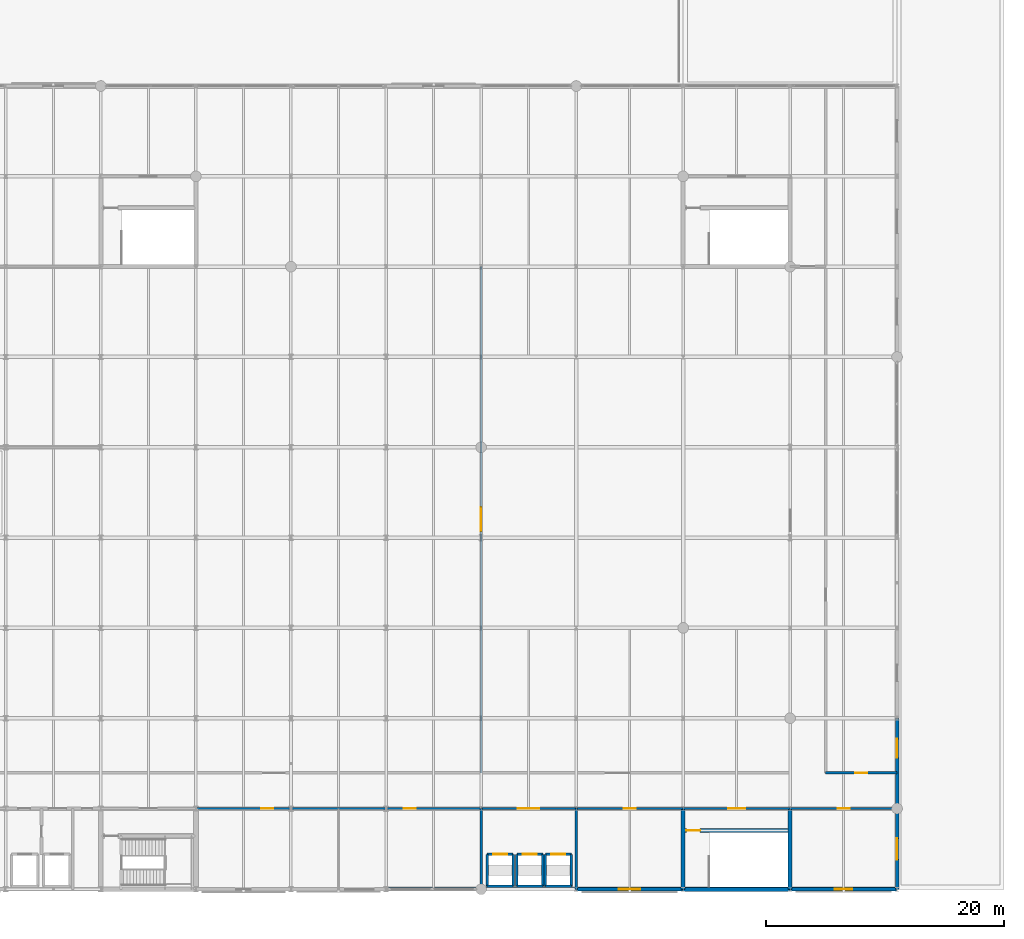
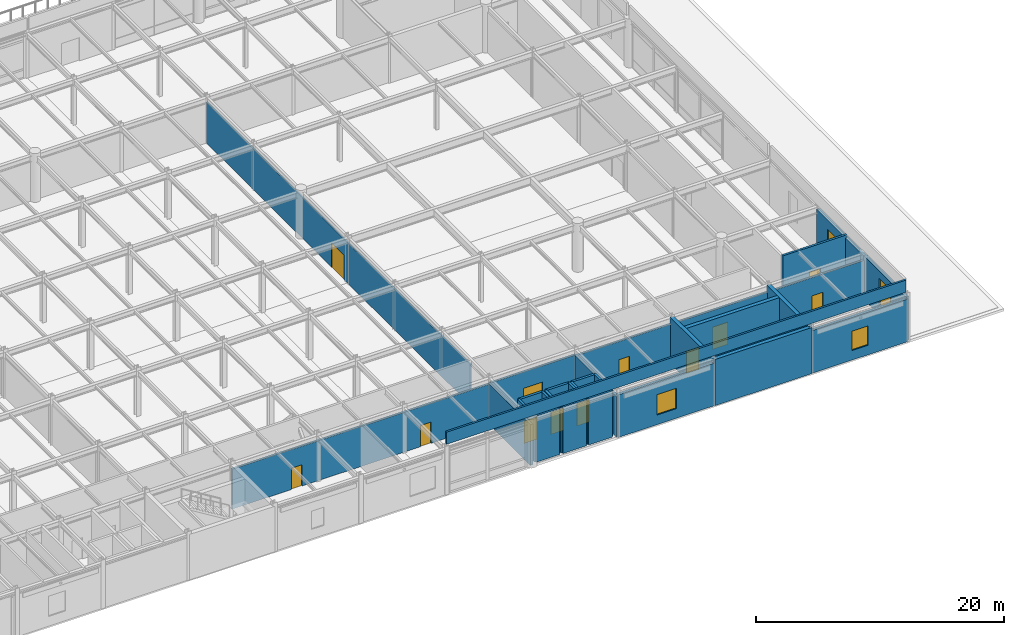
# One storey, part 37 of 43: 30 walls, 12 doors, 4 windows, 16 openings.
"""IFC4 building model written with IfcOpenShell, lengths in metres."""

from ifc_helpers import new_model, si_unit, direction, frame, frame_2d, origin, place, context, subcontext, project, spatial, rectangle, extrude, material, layer, layer_set, type_object, element, fill, save


model = new_model("IFC4")

# Units and contexts
model_context = context("Model", 3, precision=1e-05, world=origin(), true_north=direction((0.0, 1.0)))
body_context = subcontext(model_context, "Body", "Model", "MODEL_VIEW")
ifc_project = project(units=[si_unit("LENGTHUNIT", "METRE"), si_unit("AREAUNIT", "SQUARE_METRE"), si_unit("VOLUMEUNIT", "CUBIC_METRE"), si_unit("PLANEANGLEUNIT", "RADIAN"), si_unit("MASSUNIT", "GRAM", prefix="KILO")], contexts=[model_context])

# Site, building, storey
site_placement = place(None, origin())
site = spatial("IfcSite", under=ifc_project, at=site_placement, CompositionType="ELEMENT")
building_placement = place(site_placement, origin())
building = spatial("IfcBuilding", under=site, at=building_placement, Name="Shalkamar Park Central Library", CompositionType="ELEMENT")
storey_placement = place(building_placement, frame((0.0, 0.0, 15.60009765625)))
storey = spatial("IfcBuildingStorey", under=building, at=storey_placement, Name="L04", CompositionType="ELEMENT", Elevation=15.60009765625)

# Wall, opening, door
ifc_material_1 = material(Name="Acoustic insulated reading partition", Category="masonry")
ifc_layer_1 = layer(ifc_material_1, 0.139892578125)
ifc_layer_set_1 = layer_set([ifc_layer_1], Name="AcousticPartition_140")
wall_type_1 = type_object("IfcWallType", Name="Acoustic Partition 140", PredefinedType="PARTITIONING", material=ifc_layer_set_1)
wall_1_placement = place(storey_placement, frame((229.0, 258.199951171875, 0.0), z_axis=(0.0, 0.0, 1.0), x_axis=(0.0, 1.0, 0.0)))
wall_1 = element("IfcWall", 1, at=wall_1_placement, inside=storey, type_object=wall_type_1, Name="Interior Partition WL-INT-L04-021", PredefinedType="PARTITIONING", context=body_context, shape_type="SweptSolid", body=[
    extrude(rectangle(XDim=42.60009765625, YDim=0.139892578125, at=frame_2d((21.300048828125, 0.0))), origin(), (0.0, 0.0, 1.0), 3.997802734375),
])
opening_1_placement = place(wall_1_placement, frame((20.340087890625, 0.0, 0.0)))
opening_1 = element("IfcOpeningElement", 2, at=opening_1_placement, cuts=wall_1, Name="Opening DR-L04-022", PredefinedType="OPENING", context=body_context, shape_type="SweptSolid", body=[
    extrude(rectangle(XDim=2.0, YDim=2.39990234375, at=frame_2d((1.0, 1.199951171875))), frame((0.0, 0.0849609375, 0.0), z_axis=(0.0, -1.0, 0.0), x_axis=(1.0, 0.0, 0.0)), (0.0, 0.0, 1.0), 0.169677734375),
])
ifc_material_2 = material(Name="Steel S355", Category="steel")
door_type_1 = type_object("IfcDoorType", Name="Interior Door Double 2000x2400", OperationType="DOUBLE_DOOR_SINGLE_SWING", PredefinedType="DOOR", material=ifc_material_2)
door_1_placement = place(opening_1_placement, origin())
door_1 = element("IfcDoor", 3, at=door_1_placement, inside=storey, type_object=door_type_1, Name="Grand Reading Hall West Portal", OperationType="DOUBLE_DOOR_SINGLE_SWING", OverallHeight=2.39990234375, OverallWidth=2.0, PredefinedType="DOOR", context=body_context, shape_type="SweptSolid", body=[
    extrude(rectangle(XDim=2.0, YDim=2.39990234375, at=frame_2d((1.0, 1.199951171875))), frame((0.0, 0.02490234375, 0.0), z_axis=(0.0, -1.0, 0.0), x_axis=(1.0, 0.0, 0.0)), (0.0, 0.0, 1.0), 0.050048828125),
])
fill(opening_1, door_1)

ifc_material_3 = material(Name="Fire-rated corridor partition wall", Category="masonry")
ifc_layer_2 = layer(ifc_material_3, 0.199951171875)
ifc_layer_set_2 = layer_set([ifc_layer_2], Name="CorridorFireWall_200")
wall_type_2 = type_object("IfcWallType", Name="Corridor Fire Wall 200", PredefinedType="PARTITIONING", material=ifc_layer_set_2)
wall_2_placement = place(storey_placement, frame((246.0, 255.199951171875, 0.0), z_axis=(0.0, 0.0, 1.0), x_axis=(1.0, 0.0, 0.0)))
wall_2 = element("IfcWall", 4, at=wall_2_placement, inside=storey, type_object=wall_type_2, Name="CORE-P3 Vestibule North Wall (L04)", PredefinedType="PARTITIONING", context=body_context, shape_type="SweptSolid", body=[
    extrude(rectangle(XDim=9.0, YDim=0.199951171875, at=frame_2d((4.5, 0.0))), origin(), (0.0, 0.0, 1.0), 3.89794921875),
])
opening_2_placement = place(wall_2_placement, frame((3.77490234375, 0.0, 0.0)))
opening_2 = element("IfcOpeningElement", 5, at=opening_2_placement, cuts=wall_2, Name="Opening DR-ST-P3-L04-VEST", PredefinedType="OPENING", context=body_context, shape_type="SweptSolid", body=[
    extrude(rectangle(XDim=1.449951171875, YDim=2.199951171875, at=frame_2d((0.72509765625, 1.10009765625))), frame((0.0, 0.11474609375, 0.0), z_axis=(0.0, -1.0, 0.0), x_axis=(1.0, 0.0, 0.0)), (0.0, 0.0, 1.0), 0.229736328125),
])
door_type_2 = type_object("IfcDoorType", Name="Stair Vestibule Door 1450x2200", OperationType="DOUBLE_DOOR_SINGLE_SWING", PredefinedType="DOOR", material=ifc_material_2)
door_2_placement = place(opening_2_placement, frame((1.449951171875, 0.0, 0.0), z_axis=(0.0, 0.0, 1.0), x_axis=(-1.0, 0.0, 0.0)))
door_2 = element("IfcDoor", 6, at=door_2_placement, inside=storey, type_object=door_type_2, Name="Protected Stair ST-P3 Vestibule Door (L04)", OperationType="DOUBLE_DOOR_SINGLE_SWING", OverallHeight=2.199951171875, OverallWidth=1.449951171875, PredefinedType="DOOR", context=body_context, shape_type="SweptSolid", body=[
    extrude(rectangle(XDim=1.449951171875, YDim=2.199951171875, at=frame_2d((0.72509765625, 1.10009765625))), frame((0.0, 0.02490234375, 0.0), z_axis=(0.0, -1.0, 0.0), x_axis=(1.0, 0.0, 0.0)), (0.0, 0.0, 1.0), 0.050048828125),
])
fill(opening_2, door_2)

wall_3_placement = place(storey_placement, frame((229.0, 255.199951171875, 0.0), z_axis=(0.0, 0.0, 1.0), x_axis=(1.0, 0.0, 0.0)))
wall_3 = element("IfcWall", 7, at=wall_3_placement, inside=storey, type_object=wall_type_2, Name="Interior Partition WL-INT-L04-012", PredefinedType="PARTITIONING", context=body_context, shape_type="SweptSolid", body=[
    extrude(rectangle(XDim=8.0, YDim=0.199951171875, at=frame_2d((4.0, 0.0))), origin(), (0.0, 0.0, 1.0), 3.997802734375),
])
opening_3_placement = place(wall_3_placement, frame((3.10009765625, 0.0, 0.0)))
opening_3 = element("IfcOpeningElement", 8, at=opening_3_placement, cuts=wall_3, Name="Opening DR-L04-012", PredefinedType="OPENING", context=body_context, shape_type="SweptSolid", body=[
    extrude(rectangle(XDim=1.800048828125, YDim=2.39990234375, at=frame_2d((0.89990234375, 1.199951171875))), frame((0.0, 0.11474609375, 0.0), z_axis=(0.0, -1.0, 0.0), x_axis=(1.0, 0.0, 0.0)), (0.0, 0.0, 1.0), 0.229736328125),
])
door_type_3 = type_object("IfcDoorType", Name="Interior Door Double 1800x2400", OperationType="DOUBLE_DOOR_SINGLE_SWING", PredefinedType="DOOR", material=ifc_material_2)
door_3_placement = place(opening_3_placement, frame((1.800048828125, 0.0, 0.0), z_axis=(0.0, 0.0, 1.0), x_axis=(-1.0, 0.0, 0.0)))
door_3 = element("IfcDoor", 9, at=door_3_placement, inside=storey, type_object=door_type_3, Name="Podium Lift Lobby Entrance", OperationType="DOUBLE_DOOR_SINGLE_SWING", OverallHeight=2.39990234375, OverallWidth=1.800048828125, PredefinedType="DOOR", context=body_context, shape_type="SweptSolid", body=[
    extrude(rectangle(XDim=1.800048828125, YDim=2.39990234375, at=frame_2d((0.89990234375, 1.199951171875))), frame((0.0, 0.02490234375, 0.0), z_axis=(0.0, -1.0, 0.0), x_axis=(1.0, 0.0, 0.0)), (0.0, 0.0, 1.0), 0.050048828125),
])
fill(opening_3, door_3)

# Wall, openings, doors
wall_4_placement = place(storey_placement, frame((205.0, 255.199951171875, 0.0), z_axis=(0.0, 0.0, 1.0), x_axis=(1.0, 0.0, 0.0)))
wall_4 = element("IfcWall", 10, at=wall_4_placement, inside=storey, type_object=wall_type_2, Name="Interior Partition WL-INT-L04-013", PredefinedType="PARTITIONING", context=body_context, shape_type="SweptSolid", body=[
    extrude(rectangle(XDim=24.0, YDim=0.199951171875, at=frame_2d((12.0, 0.0))), origin(), (0.0, 0.0, 1.0), 3.927978515625),
])
opening_4_placement = place(wall_4_placement, frame((5.5, 0.0, 0.0)))
opening_4 = element("IfcOpeningElement", 11, at=opening_4_placement, cuts=wall_4, Name="Opening DR-L04-013", PredefinedType="OPENING", context=body_context, shape_type="SweptSolid", body=[
    extrude(rectangle(XDim=1.0, YDim=2.10009765625, at=frame_2d((0.5, 1.050048828125))), frame((0.0, 0.11474609375, 0.0), z_axis=(0.0, -1.0, 0.0), x_axis=(1.0, 0.0, 0.0)), (0.0, 0.0, 1.0), 0.229736328125),
])
opening_5_placement = place(wall_4_placement, frame((17.5, 0.0, 0.0)))
opening_5 = element("IfcOpeningElement", 12, at=opening_5_placement, cuts=wall_4, Name="Opening DR-L04-014", PredefinedType="OPENING", context=body_context, shape_type="SweptSolid", body=[
    extrude(rectangle(XDim=1.0, YDim=2.10009765625, at=frame_2d((0.5, 1.050048828125))), frame((0.0, 0.11474609375, 0.0), z_axis=(0.0, -1.0, 0.0), x_axis=(1.0, 0.0, 0.0)), (0.0, 0.0, 1.0), 0.229736328125),
])
door_type_4 = type_object("IfcDoorType", Name="Interior Door Single 1000x2100", OperationType="NOTDEFINED", PredefinedType="DOOR", material=ifc_material_2)
door_4_placement = place(opening_4_placement, frame((1.0, 0.0, 0.0), z_axis=(0.0, 0.0, 1.0), x_axis=(-1.0, 0.0, 0.0)))
door_4 = element("IfcDoor", 13, at=door_4_placement, inside=storey, type_object=door_type_4, Name="L04 South Seminar Door", OperationType="SINGLE_SWING_RIGHT", OverallHeight=2.10009765625, OverallWidth=1.0, PredefinedType="DOOR", context=body_context, shape_type="SweptSolid", body=[
    extrude(rectangle(XDim=1.0, YDim=2.10009765625, at=frame_2d((0.5, 1.050048828125))), frame((0.0, 0.02490234375, 0.0), z_axis=(0.0, -1.0, 0.0), x_axis=(1.0, 0.0, 0.0)), (0.0, 0.0, 1.0), 0.050048828125),
])
fill(opening_4, door_4)
door_5_placement = place(opening_5_placement, frame((1.0, 0.0, 0.0), z_axis=(0.0, 0.0, 1.0), x_axis=(-1.0, 0.0, 0.0)))
door_5 = element("IfcDoor", 14, at=door_5_placement, inside=storey, type_object=door_type_4, Name="L04 South Study Door", OperationType="SINGLE_SWING_LEFT", OverallHeight=2.10009765625, OverallWidth=1.0, PredefinedType="DOOR", context=body_context, shape_type="SweptSolid", body=[
    extrude(rectangle(XDim=1.0, YDim=2.10009765625, at=frame_2d((0.5, 1.050048828125))), frame((0.0, 0.02490234375, 0.0), z_axis=(0.0, -1.0, 0.0), x_axis=(1.0, 0.0, 0.0)), (0.0, 0.0, 1.0), 0.050048828125),
])
fill(opening_5, door_5)

# Wall, opening, door
wall_5_placement = place(storey_placement, frame((237.0, 255.199951171875, 0.0), z_axis=(0.0, 0.0, 1.0), x_axis=(1.0, 0.0, 0.0)))
wall_5 = element("IfcWall", 15, at=wall_5_placement, inside=storey, type_object=wall_type_2, Name="Interior Partition WL-INT-L04-015", PredefinedType="PARTITIONING", context=body_context, shape_type="SweptSolid", body=[
    extrude(rectangle(XDim=9.0, YDim=0.199951171875, at=frame_2d((4.5, 0.0))), origin(), (0.0, 0.0, 1.0), 3.89794921875),
])
opening_6_placement = place(wall_5_placement, frame((4.0, 0.0, 0.0)))
opening_6 = element("IfcOpeningElement", 16, at=opening_6_placement, cuts=wall_5, Name="Opening DR-L04-015", PredefinedType="OPENING", context=body_context, shape_type="SweptSolid", body=[
    extrude(rectangle(XDim=1.0, YDim=2.10009765625, at=frame_2d((0.5, 1.050048828125))), frame((0.0, 0.11474609375, 0.0), z_axis=(0.0, -1.0, 0.0), x_axis=(1.0, 0.0, 0.0)), (0.0, 0.0, 1.0), 0.229736328125),
])
door_6_placement = place(opening_6_placement, frame((1.0, 0.0, 0.0), z_axis=(0.0, 0.0, 1.0), x_axis=(-1.0, 0.0, 0.0)))
door_6 = element("IfcDoor", 17, at=door_6_placement, inside=storey, type_object=door_type_4, Name="L04 Reference Desk Office Door", OperationType="SINGLE_SWING_RIGHT", OverallHeight=2.10009765625, OverallWidth=1.0, PredefinedType="DOOR", context=body_context, shape_type="SweptSolid", body=[
    extrude(rectangle(XDim=1.0, YDim=2.10009765625, at=frame_2d((0.5, 1.050048828125))), frame((0.0, 0.02490234375, 0.0), z_axis=(0.0, -1.0, 0.0), x_axis=(1.0, 0.0, 0.0)), (0.0, 0.0, 1.0), 0.050048828125),
])
fill(opening_6, door_6)

wall_6_placement = place(storey_placement, frame((255.0, 255.199951171875, 0.0), z_axis=(0.0, 0.0, 1.0), x_axis=(1.0, 0.0, 0.0)))
wall_6 = element("IfcWall", 18, at=wall_6_placement, inside=storey, type_object=wall_type_2, Name="Interior Partition WL-INT-L04-016", PredefinedType="PARTITIONING", context=body_context, shape_type="SweptSolid", body=[
    extrude(rectangle(XDim=9.0, YDim=0.199951171875, at=frame_2d((4.5, 0.0))), origin(), (0.0, 0.0, 1.0), 3.89794921875),
])
opening_7_placement = place(wall_6_placement, frame((4.0, 0.0, 0.0)))
opening_7 = element("IfcOpeningElement", 19, at=opening_7_placement, cuts=wall_6, Name="Opening DR-L04-016", PredefinedType="OPENING", context=body_context, shape_type="SweptSolid", body=[
    extrude(rectangle(XDim=1.0, YDim=2.10009765625, at=frame_2d((0.5, 1.050048828125))), frame((0.0, 0.11474609375, 0.0), z_axis=(0.0, -1.0, 0.0), x_axis=(1.0, 0.0, 0.0)), (0.0, 0.0, 1.0), 0.229736328125),
])
door_7_placement = place(opening_7_placement, frame((1.0, 0.0, 0.0), z_axis=(0.0, 0.0, 1.0), x_axis=(-1.0, 0.0, 0.0)))
door_7 = element("IfcDoor", 20, at=door_7_placement, inside=storey, type_object=door_type_4, Name="L04 East Studio Door", OperationType="SINGLE_SWING_LEFT", OverallHeight=2.10009765625, OverallWidth=1.0, PredefinedType="DOOR", context=body_context, shape_type="SweptSolid", body=[
    extrude(rectangle(XDim=1.0, YDim=2.10009765625, at=frame_2d((0.5, 1.050048828125))), frame((0.0, 0.02490234375, 0.0), z_axis=(0.0, -1.0, 0.0), x_axis=(1.0, 0.0, 0.0)), (0.0, 0.0, 1.0), 0.050048828125),
])
fill(opening_7, door_7)

wall_7_placement = place(storey_placement, frame((258.0, 258.199951171875, 0.0), z_axis=(0.0, 0.0, 1.0), x_axis=(1.0, 0.0, 0.0)))
wall_7 = element("IfcWall", 21, at=wall_7_placement, inside=storey, type_object=wall_type_2, Name="Interior Partition WL-INT-L04-024", PredefinedType="PARTITIONING", context=body_context, shape_type="SweptSolid", body=[
    extrude(rectangle(XDim=6.0, YDim=0.199951171875, at=frame_2d((3.0, 0.0))), origin(), (0.0, 0.0, 1.0), 4.5498046875),
])
opening_8_placement = place(wall_7_placement, frame((2.5, 0.0, 0.0)))
opening_8 = element("IfcOpeningElement", 22, at=opening_8_placement, cuts=wall_7, Name="Opening DR-L04-025", PredefinedType="OPENING", context=body_context, shape_type="SweptSolid", body=[
    extrude(rectangle(XDim=1.0, YDim=2.10009765625, at=frame_2d((0.5, 1.050048828125))), frame((0.0, 0.11474609375, 0.0), z_axis=(0.0, -1.0, 0.0), x_axis=(1.0, 0.0, 0.0)), (0.0, 0.0, 1.0), 0.229736328125),
])
door_8_placement = place(opening_8_placement, origin())
door_8 = element("IfcDoor", 23, at=door_8_placement, inside=storey, type_object=door_type_4, Name="Curatorial Office South Door", OperationType="SINGLE_SWING_RIGHT", OverallHeight=2.10009765625, OverallWidth=1.0, PredefinedType="DOOR", context=body_context, shape_type="SweptSolid", body=[
    extrude(rectangle(XDim=1.0, YDim=2.10009765625, at=frame_2d((0.5, 1.050048828125))), frame((0.0, 0.02490234375, 0.0), z_axis=(0.0, -1.0, 0.0), x_axis=(1.0, 0.0, 0.0)), (0.0, 0.0, 1.0), 0.050048828125),
])
fill(opening_8, door_8)

# Walls
ifc_material_4 = material(Name="Concrete C40/50", Category="concrete")
ifc_layer_3 = layer(ifc_material_4, 0.219970703125)
ifc_layer_set_3 = layer_set([ifc_layer_3], Name="Concrete C40/50")
wall_type_3 = type_object("IfcWallType", Name="Lift Hoistway Shear Wall 220", PredefinedType="SHEAR", material=ifc_layer_set_3)
wall_8_placement = place(storey_placement, frame((229.5, 248.64990234375, 0.0), z_axis=(0.0, 0.0, 1.0), x_axis=(1.0, 0.0, 0.0)))
element("IfcWall", 24, at=wall_8_placement, inside=storey, type_object=wall_type_3, Name="Lift LP-01 Hoistway South Wall (L04)", PredefinedType="SHEAR", context=body_context, shape_type="SweptSolid", body=[
    extrude(rectangle(XDim=2.199951171875, YDim=0.219970703125, at=frame_2d((1.10009765625, 0.0))), origin(), (0.0, 0.0, 1.0), 4.5498046875),
])
for number, where, z_axis, x_axis, name in (
    (25, (229.5, 248.64990234375, 0.0), (0.0, 0.0, 1.0), (0.0, 1.0, 0.0), "Lift LP-01 Hoistway West Wall (L04)"),
    (26, (231.699951171875, 248.64990234375, 0.0), (0.0, 0.0, 1.0), (0.0, 1.0, 0.0), "Lift LP-01 Hoistway East Wall (L04)"),
):
    element("IfcWall", number, at=place(storey_placement, frame(where, z_axis=z_axis, x_axis=x_axis)), inside=storey, type_object=wall_type_3, Name=name, PredefinedType="SHEAR", context=body_context, shape_type="SweptSolid", body=[
        extrude(rectangle(XDim=2.7001953125, YDim=0.219970703125, at=frame_2d((1.35009765625, 0.0))), origin(), (0.0, 0.0, 1.0), 4.5498046875),
    ])

# Wall, opening, door
wall_9_placement = place(storey_placement, frame((229.5, 251.35009765625, 0.0), z_axis=(0.0, 0.0, 1.0), x_axis=(1.0, 0.0, 0.0)))
wall_9 = element("IfcWall", 27, at=wall_9_placement, inside=storey, type_object=wall_type_3, Name="Lift LP-01 Hoistway Front Wall (L04)", PredefinedType="SHEAR", context=body_context, shape_type="SweptSolid", body=[
    extrude(rectangle(XDim=2.199951171875, YDim=0.219970703125, at=frame_2d((1.10009765625, 0.0))), origin(), (0.0, 0.0, 1.0), 4.5498046875),
])
opening_9_placement = place(wall_9_placement, frame((0.5, 0.0, 0.0)))
opening_9 = element("IfcOpeningElement", 28, at=opening_9_placement, cuts=wall_9, Name="Opening LD-LP-01-L04", PredefinedType="OPENING", context=body_context, shape_type="SweptSolid", body=[
    extrude(rectangle(XDim=1.199951171875, YDim=2.199951171875, at=frame_2d((0.60009765625, 1.10009765625))), frame((0.0, 0.125, 0.0), z_axis=(0.0, -1.0, 0.0), x_axis=(1.0, 0.0, 0.0)), (0.0, 0.0, 1.0), 0.249755859375),
])
door_type_5 = type_object("IfcDoorType", Name="Podium Lift Landing Door 1200x2200", OperationType="DOUBLE_DOOR_SLIDING", PredefinedType="USERDEFINED", material=ifc_material_2)
door_9_placement = place(opening_9_placement, origin())
door_9 = element("IfcDoor", 29, at=door_9_placement, inside=storey, type_object=door_type_5, Name="Lift LP-01 Sliding Landing Door (L04)", ObjectType="SLIDING LANDING DOOR", OperationType="DOUBLE_DOOR_SLIDING", OverallHeight=2.199951171875, OverallWidth=1.199951171875, PredefinedType="USERDEFINED", context=body_context, shape_type="SweptSolid", body=[
    extrude(rectangle(XDim=1.199951171875, YDim=2.199951171875, at=frame_2d((0.60009765625, 1.10009765625))), frame((0.0, 0.02490234375, 0.0), z_axis=(0.0, -1.0, 0.0), x_axis=(1.0, 0.0, 0.0)), (0.0, 0.0, 1.0), 0.050048828125),
])
fill(opening_9, door_9)

# Walls
wall_10_placement = place(storey_placement, frame((232.0, 248.64990234375, 0.0), z_axis=(0.0, 0.0, 1.0), x_axis=(1.0, 0.0, 0.0)))
element("IfcWall", 30, at=wall_10_placement, inside=storey, type_object=wall_type_3, Name="Lift LP-02 Hoistway South Wall (L04)", PredefinedType="SHEAR", context=body_context, shape_type="SweptSolid", body=[
    extrude(rectangle(XDim=2.199951171875, YDim=0.219970703125, at=frame_2d((1.10009765625, 0.0))), origin(), (0.0, 0.0, 1.0), 4.5498046875),
])
for number, where, z_axis, x_axis, name in (
    (31, (232.0, 248.64990234375, 0.0), (0.0, 0.0, 1.0), (0.0, 1.0, 0.0), "Lift LP-02 Hoistway West Wall (L04)"),
    (32, (234.199951171875, 248.64990234375, 0.0), (0.0, 0.0, 1.0), (0.0, 1.0, 0.0), "Lift LP-02 Hoistway East Wall (L04)"),
):
    element("IfcWall", number, at=place(storey_placement, frame(where, z_axis=z_axis, x_axis=x_axis)), inside=storey, type_object=wall_type_3, Name=name, PredefinedType="SHEAR", context=body_context, shape_type="SweptSolid", body=[
        extrude(rectangle(XDim=2.7001953125, YDim=0.219970703125, at=frame_2d((1.35009765625, 0.0))), origin(), (0.0, 0.0, 1.0), 4.5498046875),
    ])

# Wall, opening, door
wall_11_placement = place(storey_placement, frame((232.0, 251.35009765625, 0.0), z_axis=(0.0, 0.0, 1.0), x_axis=(1.0, 0.0, 0.0)))
wall_11 = element("IfcWall", 33, at=wall_11_placement, inside=storey, type_object=wall_type_3, Name="Lift LP-02 Hoistway Front Wall (L04)", PredefinedType="SHEAR", context=body_context, shape_type="SweptSolid", body=[
    extrude(rectangle(XDim=2.199951171875, YDim=0.219970703125, at=frame_2d((1.10009765625, 0.0))), origin(), (0.0, 0.0, 1.0), 4.5498046875),
])
opening_10_placement = place(wall_11_placement, frame((0.5, 0.0, 0.0)))
opening_10 = element("IfcOpeningElement", 34, at=opening_10_placement, cuts=wall_11, Name="Opening LD-LP-02-L04", PredefinedType="OPENING", context=body_context, shape_type="SweptSolid", body=[
    extrude(rectangle(XDim=1.199951171875, YDim=2.199951171875, at=frame_2d((0.60009765625, 1.10009765625))), frame((0.0, 0.125, 0.0), z_axis=(0.0, -1.0, 0.0), x_axis=(1.0, 0.0, 0.0)), (0.0, 0.0, 1.0), 0.249755859375),
])
door_10_placement = place(opening_10_placement, origin())
door_10 = element("IfcDoor", 35, at=door_10_placement, inside=storey, type_object=door_type_5, Name="Lift LP-02 Sliding Landing Door (L04)", ObjectType="SLIDING LANDING DOOR", OperationType="DOUBLE_DOOR_SLIDING", OverallHeight=2.199951171875, OverallWidth=1.199951171875, PredefinedType="USERDEFINED", context=body_context, shape_type="SweptSolid", body=[
    extrude(rectangle(XDim=1.199951171875, YDim=2.199951171875, at=frame_2d((0.60009765625, 1.10009765625))), frame((0.0, 0.02490234375, 0.0), z_axis=(0.0, -1.0, 0.0), x_axis=(1.0, 0.0, 0.0)), (0.0, 0.0, 1.0), 0.050048828125),
])
fill(opening_10, door_10)

# Walls
wall_12_placement = place(storey_placement, frame((234.39990234375, 248.64990234375, 0.0), z_axis=(0.0, 0.0, 1.0), x_axis=(1.0, 0.0, 0.0)))
element("IfcWall", 36, at=wall_12_placement, inside=storey, type_object=wall_type_3, Name="Lift LP-03 Hoistway South Wall (L04)", PredefinedType="SHEAR", context=body_context, shape_type="SweptSolid", body=[
    extrude(rectangle(XDim=2.2001953125, YDim=0.219970703125, at=frame_2d((1.10009765625, 0.0))), origin(), (0.0, 0.0, 1.0), 4.5498046875),
])
for number, where, z_axis, x_axis, name in (
    (37, (234.39990234375, 248.64990234375, 0.0), (0.0, 0.0, 1.0), (0.0, 1.0, 0.0), "Lift LP-03 Hoistway West Wall (L04)"),
    (38, (236.60009765625, 248.64990234375, 0.0), (0.0, 0.0, 1.0), (0.0, 1.0, 0.0), "Lift LP-03 Hoistway East Wall (L04)"),
):
    element("IfcWall", number, at=place(storey_placement, frame(where, z_axis=z_axis, x_axis=x_axis)), inside=storey, type_object=wall_type_3, Name=name, PredefinedType="SHEAR", context=body_context, shape_type="SweptSolid", body=[
        extrude(rectangle(XDim=2.7001953125, YDim=0.219970703125, at=frame_2d((1.35009765625, 0.0))), origin(), (0.0, 0.0, 1.0), 4.5498046875),
    ])

# Wall, opening, door
wall_13_placement = place(storey_placement, frame((234.39990234375, 251.35009765625, 0.0), z_axis=(0.0, 0.0, 1.0), x_axis=(1.0, 0.0, 0.0)))
wall_13 = element("IfcWall", 39, at=wall_13_placement, inside=storey, type_object=wall_type_3, Name="Lift LP-03 Hoistway Front Wall (L04)", PredefinedType="SHEAR", context=body_context, shape_type="SweptSolid", body=[
    extrude(rectangle(XDim=2.2001953125, YDim=0.219970703125, at=frame_2d((1.10009765625, 0.0))), origin(), (0.0, 0.0, 1.0), 4.5498046875),
])
opening_11_placement = place(wall_13_placement, frame((0.5, 0.0, 0.0)))
opening_11 = element("IfcOpeningElement", 40, at=opening_11_placement, cuts=wall_13, Name="Opening LD-LP-03-L04", PredefinedType="OPENING", context=body_context, shape_type="SweptSolid", body=[
    extrude(rectangle(XDim=1.199951171875, YDim=2.199951171875, at=frame_2d((0.60009765625, 1.10009765625))), frame((0.0, 0.125, 0.0), z_axis=(0.0, -1.0, 0.0), x_axis=(1.0, 0.0, 0.0)), (0.0, 0.0, 1.0), 0.249755859375),
])
door_11_placement = place(opening_11_placement, origin())
door_11 = element("IfcDoor", 41, at=door_11_placement, inside=storey, type_object=door_type_5, Name="Lift LP-03 Sliding Landing Door (L04)", ObjectType="SLIDING LANDING DOOR", OperationType="DOUBLE_DOOR_SLIDING", OverallHeight=2.199951171875, OverallWidth=1.199951171875, PredefinedType="USERDEFINED", context=body_context, shape_type="SweptSolid", body=[
    extrude(rectangle(XDim=1.199951171875, YDim=2.199951171875, at=frame_2d((0.60009765625, 1.10009765625))), frame((0.0, 0.02490234375, 0.0), z_axis=(0.0, -1.0, 0.0), x_axis=(1.0, 0.0, 0.0)), (0.0, 0.0, 1.0), 0.050048828125),
])
fill(opening_11, door_11)

# Walls
ifc_layer_4 = layer(ifc_material_4, 0.35009765625)
ifc_layer_set_4 = layer_set([ifc_layer_4], Name="Concrete C40/50")
wall_type_4 = type_object("IfcWallType", Name="Podium Core Shear Wall 350", PredefinedType="SHEAR", material=ifc_layer_set_4)
wall_14_placement = place(storey_placement, frame((246.0, 248.39990234375, 0.0), z_axis=(0.0, 0.0, 1.0), x_axis=(1.0, 0.0, 0.0)))
element("IfcWall", 42, at=wall_14_placement, inside=storey, type_object=wall_type_4, Name="CORE-P3 South Shear Wall (L04)", PredefinedType="SHEAR", context=body_context, shape_type="SweptSolid", body=[
    extrude(rectangle(XDim=9.0, YDim=0.35009765625, at=frame_2d((4.5, 0.0))), origin(), (0.0, 0.0, 1.0), 4.5498046875),
])
for number, where, z_axis, x_axis, name in (
    (43, (246.0, 248.39990234375, 0.0), (0.0, 0.0, 1.0), (0.0, 1.0, 0.0), "CORE-P3 West Shear Wall (L04)"),
    (44, (255.0, 248.39990234375, 0.0), (0.0, 0.0, 1.0), (0.0, 1.0, 0.0), "CORE-P3 East Shear Wall (L04)"),
):
    element("IfcWall", number, at=place(storey_placement, frame(where, z_axis=z_axis, x_axis=x_axis)), inside=storey, type_object=wall_type_4, Name=name, PredefinedType="SHEAR", context=body_context, shape_type="SweptSolid", body=[
        extrude(rectangle(XDim=6.800048828125, YDim=0.35009765625, at=frame_2d((3.39990234375, 0.0))), origin(), (0.0, 0.0, 1.0), 4.5498046875),
    ])

# Wall, opening, door
wall_15_placement = place(storey_placement, frame((246.0, 253.35009765625, 0.0), z_axis=(0.0, 0.0, 1.0), x_axis=(1.0, 0.0, 0.0)))
wall_15 = element("IfcWall", 45, at=wall_15_placement, inside=storey, type_object=wall_type_4, Name="CORE-P3 Stairwell Wall (L04)", PredefinedType="SHEAR", context=body_context, shape_type="SweptSolid", body=[
    extrude(rectangle(XDim=9.0, YDim=0.35009765625, at=frame_2d((4.5, 0.0))), origin(), (0.0, 0.0, 1.0), 4.5498046875),
])
opening_12_placement = place(wall_15_placement, frame((0.27490234375, 0.0, 0.0)))
opening_12 = element("IfcOpeningElement", 46, at=opening_12_placement, cuts=wall_15, Name="Opening DR-ST-P3-L04-IN", PredefinedType="OPENING", context=body_context, shape_type="SweptSolid", body=[
    extrude(rectangle(XDim=1.14990234375, YDim=2.14990234375, at=frame_2d((0.574951171875, 1.074951171875))), frame((0.0, 0.18994140625, 0.0), z_axis=(0.0, -1.0, 0.0), x_axis=(1.0, 0.0, 0.0)), (0.0, 0.0, 1.0), 0.3798828125),
])
door_type_6 = type_object("IfcDoorType", Name="Stair Core Exit Door 1150x2150", OperationType="NOTDEFINED", PredefinedType="DOOR", material=ifc_material_2)
door_12_placement = place(opening_12_placement, frame((1.14990234375, 0.0, 0.0), z_axis=(0.0, 0.0, 1.0), x_axis=(-1.0, 0.0, 0.0)))
door_12 = element("IfcDoor", 47, at=door_12_placement, inside=storey, type_object=door_type_6, Name="Protected Stair ST-P3 Exit Door (L04)", OperationType="SINGLE_SWING_RIGHT", OverallHeight=2.14990234375, OverallWidth=1.14990234375, PredefinedType="DOOR", context=body_context, shape_type="SweptSolid", body=[
    extrude(rectangle(XDim=1.14990234375, YDim=2.14990234375, at=frame_2d((0.574951171875, 1.074951171875))), frame((0.0, 0.02490234375, 0.0), z_axis=(0.0, -1.0, 0.0), x_axis=(1.0, 0.0, 0.0)), (0.0, 0.0, 1.0), 0.050048828125),
])
fill(opening_12, door_12)

# Walls
ifc_material_5 = material(Name="Concrete C35/45 precast", Category="concrete")
ifc_layer_5 = layer(ifc_material_5, 0.179931640625)
ifc_layer_set_5 = layer_set([ifc_layer_5], Name="Concrete C35/45 precast")
wall_type_5 = type_object("IfcWallType", Name="Roof Parapet Wall 180", PredefinedType="PARAPET", material=ifc_layer_set_5)
wall_16_placement = place(storey_placement, frame((221.10009765625, 248.5, 4.7998046875), z_axis=(0.0, 0.0, 1.0), x_axis=(1.0, 0.0, 0.0)))
element("IfcWall", 48, at=wall_16_placement, inside=storey, type_object=wall_type_5, Name="Roof Parapet Wall L04-30", PredefinedType="PARAPET", context=body_context, shape_type="SweptSolid", body=[
    extrude(rectangle(XDim=42.7998046875, YDim=0.179931640625, at=frame_2d((21.39990234375, 0.0))), origin(), (0.0, 0.0, 1.0), 1.2001953125),
])
ifc_material_6 = material(Name="Fire-rated shaft enclosure wall", Category="masonry")
ifc_layer_6 = layer(ifc_material_6, 0.219970703125)
ifc_layer_set_6 = layer_set([ifc_layer_6], Name="ShaftWall_220")
wall_type_6 = type_object("IfcWallType", Name="Shaft Wall 220", PredefinedType="PARTITIONING", material=ifc_layer_set_6)
for number, where, z_axis, x_axis, name in (
    (49, (229.0, 248.39990234375, 0.0), (0.0, 0.0, 1.0), (0.0, 1.0, 0.0), "Interior Partition WL-INT-L04-010"),
    (50, (237.0, 248.39990234375, 0.0), (0.0, 0.0, 1.0), (0.0, 1.0, 0.0), "Interior Partition WL-INT-L04-011"),
):
    element("IfcWall", number, at=place(storey_placement, frame(where, z_axis=z_axis, x_axis=x_axis)), inside=storey, type_object=wall_type_6, Name=name, PredefinedType="PARTITIONING", context=body_context, shape_type="SweptSolid", body=[
        extrude(rectangle(XDim=6.800048828125, YDim=0.219970703125, at=frame_2d((3.39990234375, 0.0))), origin(), (0.0, 0.0, 1.0), 3.997802734375),
    ])

# Wall, opening, window
ifc_material_7 = material(Name="Travertine insulated rainscreen", Category="masonry")
ifc_layer_7 = layer(ifc_material_7, 0.2900390625)
ifc_layer_set_7 = layer_set([ifc_layer_7], Name="TravertineTerracottaWall_290")
wall_type_7 = type_object("IfcWallType", Name="Travertine Terracotta Wall 290", PredefinedType="SOLIDWALL", material=ifc_layer_set_7)
wall_17_placement = place(storey_placement, frame((237.006103515625, 248.39990234375, 0.0), z_axis=(0.0, 0.0, 1.0), x_axis=(1.0, 0.0, 0.0)))
wall_17 = element("IfcWall", 51, at=wall_17_placement, inside=storey, type_object=wall_type_7, Name="Exterior Facade Wall WL-EXT-L04-112", PredefinedType="SOLIDWALL", context=body_context, shape_type="SweptSolid", body=[
    extrude(rectangle(XDim=8.98779296875, YDim=0.2900390625, at=frame_2d((4.493896484375, 0.0))), origin(), (0.0, 0.0, 1.0), 4.197998046875),
])
opening_13_placement = place(wall_17_placement, frame((3.593994140625, 0.0, 0.949951171875)))
opening_13 = element("IfcOpeningElement", 52, at=opening_13_placement, cuts=wall_17, Name="Opening WN-12", PredefinedType="OPENING", context=body_context, shape_type="SweptSolid", body=[
    extrude(rectangle(XDim=1.800048828125, YDim=2.0, at=frame_2d((0.89990234375, 1.0))), frame((0.0, 0.159912109375, 0.0), z_axis=(0.0, -1.0, 0.0), x_axis=(1.0, 0.0, 0.0)), (0.0, 0.0, 1.0), 0.31982421875),
])
ifc_material_8 = material(Name="Thermally broken aluminium and triple low-e glass", Category="glass")
window_type_1 = type_object("IfcWindowType", Name="Tower Window 1800x2000", PartitioningType="DOUBLE_PANEL_VERTICAL", PredefinedType="WINDOW", material=ifc_material_8)
window_1_placement = place(opening_13_placement, origin())
window_1 = element("IfcWindow", 53, at=window_1_placement, inside=storey, type_object=window_type_1, Name="Facade Window WN-L04-073", OverallHeight=2.0, OverallWidth=1.800048828125, PartitioningType="DOUBLE_PANEL_VERTICAL", PredefinedType="WINDOW", context=body_context, shape_type="SweptSolid", body=[
    extrude(rectangle(XDim=1.800048828125, YDim=2.0, at=frame_2d((0.89990234375, 1.0))), frame((0.0, 0.030029296875, 0.0), z_axis=(0.0, -1.0, 0.0), x_axis=(1.0, 0.0, 0.0)), (0.0, 0.0, 1.0), 0.06005859375),
])
fill(opening_13, window_1)

wall_18_placement = place(storey_placement, frame((255.006103515625, 248.39990234375, 0.0), z_axis=(0.0, 0.0, 1.0), x_axis=(1.0, 0.0, 0.0)))
wall_18 = element("IfcWall", 54, at=wall_18_placement, inside=storey, type_object=wall_type_7, Name="Exterior Facade Wall WL-EXT-L04-113", PredefinedType="SOLIDWALL", context=body_context, shape_type="SweptSolid", body=[
    extrude(rectangle(XDim=8.98779296875, YDim=0.2900390625, at=frame_2d((4.493896484375, 0.0))), origin(), (0.0, 0.0, 1.0), 4.197998046875),
])
opening_14_placement = place(wall_18_placement, frame((3.743896484375, 0.0, 0.949951171875)))
opening_14 = element("IfcOpeningElement", 55, at=opening_14_placement, cuts=wall_18, Name="Opening WN-14", PredefinedType="OPENING", context=body_context, shape_type="SweptSolid", body=[
    extrude(rectangle(XDim=1.5, YDim=1.89990234375, at=frame_2d((0.75, 0.949951171875))), frame((0.0, 0.159912109375, 0.0), z_axis=(0.0, -1.0, 0.0), x_axis=(1.0, 0.0, 0.0)), (0.0, 0.0, 1.0), 0.31982421875),
])
window_type_2 = type_object("IfcWindowType", Name="Tower Window 1500x1900", PartitioningType="SINGLE_PANEL", PredefinedType="WINDOW", material=ifc_material_8)
window_2_placement = place(opening_14_placement, origin())
window_2 = element("IfcWindow", 56, at=window_2_placement, inside=storey, type_object=window_type_2, Name="Facade Window WN-L04-074", OverallHeight=1.89990234375, OverallWidth=1.5, PartitioningType="SINGLE_PANEL", PredefinedType="WINDOW", context=body_context, shape_type="SweptSolid", body=[
    extrude(rectangle(XDim=1.5, YDim=1.89990234375, at=frame_2d((0.75, 0.949951171875))), frame((0.0, 0.030029296875, 0.0), z_axis=(0.0, -1.0, 0.0), x_axis=(1.0, 0.0, 0.0)), (0.0, 0.0, 1.0), 0.06005859375),
])
fill(opening_14, window_2)

wall_19_placement = place(storey_placement, frame((264.0, 248.406005859375, 0.0), z_axis=(0.0, 0.0, 1.0), x_axis=(0.0, 1.0, 0.0)))
wall_19 = element("IfcWall", 57, at=wall_19_placement, inside=storey, type_object=wall_type_7, Name="Exterior Facade Wall WL-EXT-L04-121", PredefinedType="SOLIDWALL", context=body_context, shape_type="SweptSolid", body=[
    extrude(rectangle(XDim=6.7880859375, YDim=0.2900390625, at=frame_2d((3.39404296875, 0.0))), origin(), (0.0, 0.0, 1.0), 4.31787109375),
])
opening_15_placement = place(wall_19_placement, frame((2.493896484375, 0.0, 0.949951171875)))
opening_15 = element("IfcOpeningElement", 58, at=opening_15_placement, cuts=wall_19, Name="Opening WN-06", PredefinedType="OPENING", context=body_context, shape_type="SweptSolid", body=[
    extrude(rectangle(XDim=1.800048828125, YDim=2.60009765625, at=frame_2d((0.89990234375, 1.300048828125))), frame((0.0, 0.159912109375, 0.0), z_axis=(0.0, -1.0, 0.0), x_axis=(1.0, 0.0, 0.0)), (0.0, 0.0, 1.0), 0.31982421875),
])
window_type_3 = type_object("IfcWindowType", Name="Podium Window 1800x2600", PartitioningType="DOUBLE_PANEL_VERTICAL", PredefinedType="WINDOW", material=ifc_material_8)
window_3_placement = place(opening_15_placement, origin())
window_3 = element("IfcWindow", 59, at=window_3_placement, inside=storey, type_object=window_type_3, Name="Facade Window WN-L04-079", OverallHeight=2.60009765625, OverallWidth=1.800048828125, PartitioningType="DOUBLE_PANEL_VERTICAL", PredefinedType="WINDOW", context=body_context, shape_type="SweptSolid", body=[
    extrude(rectangle(XDim=1.800048828125, YDim=2.60009765625, at=frame_2d((0.89990234375, 1.300048828125))), frame((0.0, 0.030029296875, 0.0), z_axis=(0.0, -1.0, 0.0), x_axis=(1.0, 0.0, 0.0)), (0.0, 0.0, 1.0), 0.06005859375),
])
fill(opening_15, window_3)

wall_20_placement = place(storey_placement, frame((264.0, 255.2060546875, 0.0), z_axis=(0.0, 0.0, 1.0), x_axis=(0.0, 1.0, 0.0)))
wall_20 = element("IfcWall", 60, at=wall_20_placement, inside=storey, type_object=wall_type_7, Name="Exterior Facade Wall WL-EXT-L04-122", PredefinedType="SOLIDWALL", context=body_context, shape_type="SweptSolid", body=[
    extrude(rectangle(XDim=7.587890625, YDim=0.2900390625, at=frame_2d((3.7939453125, 0.0))), origin(), (0.0, 0.0, 1.0), 4.27783203125),
])
opening_16_placement = place(wall_20_placement, frame((4.26611328125, 0.0, 0.949951171875)))
opening_16 = element("IfcOpeningElement", 61, at=opening_16_placement, cuts=wall_20, Name="Opening WN-07", PredefinedType="OPENING", context=body_context, shape_type="SweptSolid", body=[
    extrude(rectangle(XDim=1.60009765625, YDim=2.39990234375, at=frame_2d((0.800048828125, 1.199951171875))), frame((0.0, 0.159912109375, 0.0), z_axis=(0.0, -1.0, 0.0), x_axis=(1.0, 0.0, 0.0)), (0.0, 0.0, 1.0), 0.31982421875),
])
window_type_4 = type_object("IfcWindowType", Name="Podium Window 1600x2400", PartitioningType="SINGLE_PANEL", PredefinedType="WINDOW", material=ifc_material_8)
window_4_placement = place(opening_16_placement, origin())
window_4 = element("IfcWindow", 62, at=window_4_placement, inside=storey, type_object=window_type_4, Name="Facade Window WN-L04-080", OverallHeight=2.39990234375, OverallWidth=1.60009765625, PartitioningType="SINGLE_PANEL", PredefinedType="WINDOW", context=body_context, shape_type="SweptSolid", body=[
    extrude(rectangle(XDim=1.60009765625, YDim=2.39990234375, at=frame_2d((0.800048828125, 1.199951171875))), frame((0.0, 0.030029296875, 0.0), z_axis=(0.0, -1.0, 0.0), x_axis=(1.0, 0.0, 0.0)), (0.0, 0.0, 1.0), 0.06005859375),
])
fill(opening_16, window_4)

save(model, "model.ifc")
